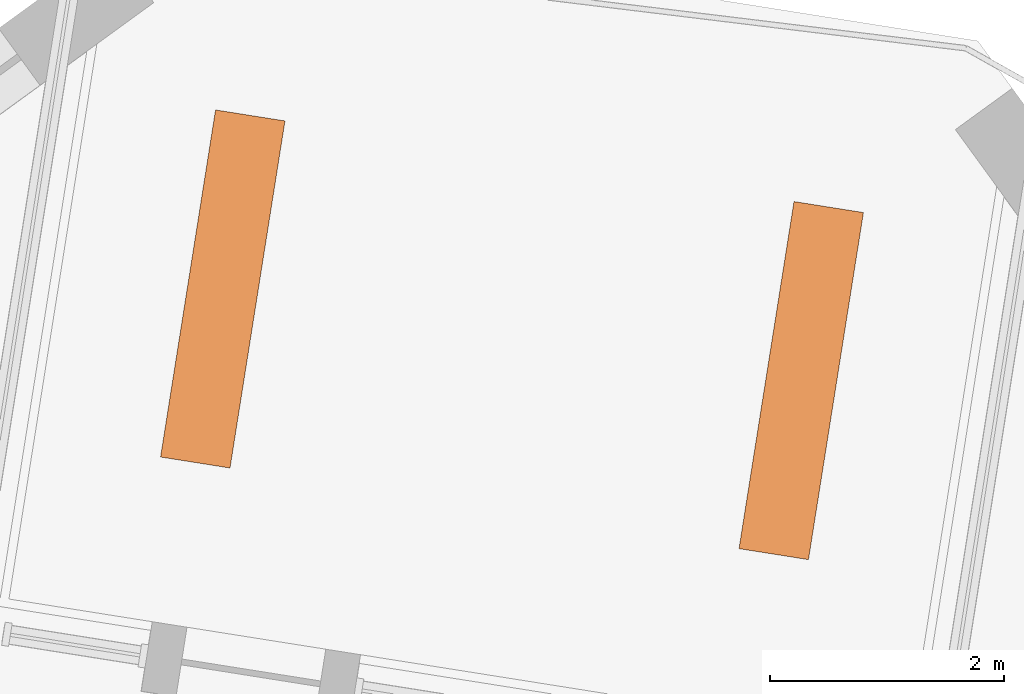
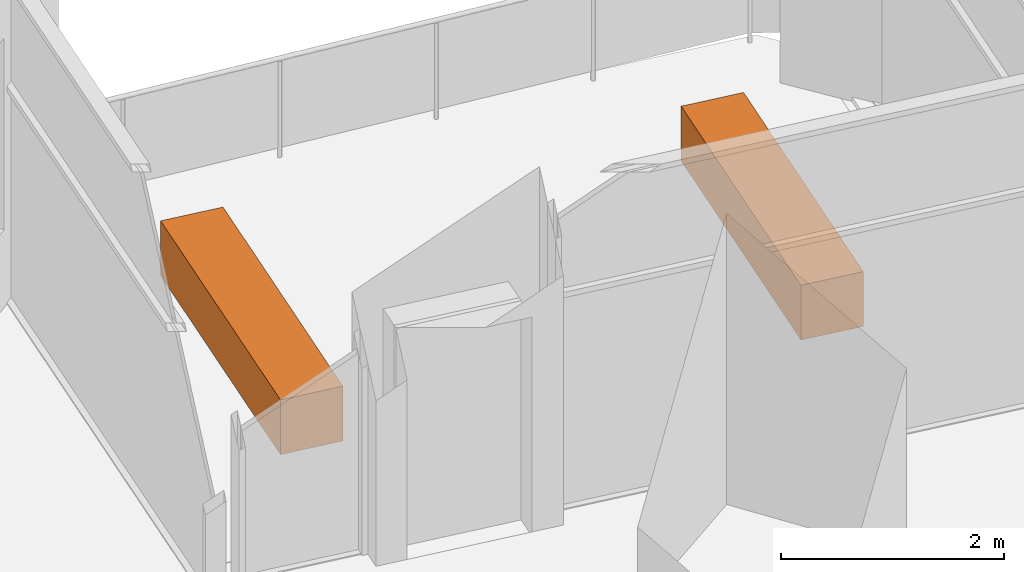
# One storey, part 11 of 11: 2 proxies.
"""IFC4 building model written with IfcOpenShell, lengths in metres."""

from ifc_helpers import new_model, si_unit, direction, frame, origin, origin_2d, place, context, subcontext, project, spatial, rectangle, extrude, element, save


model = new_model("IFC4")

# Units and contexts
model_context = context("Model", 3, precision=1e-05, world=origin(), true_north=direction((0.0, 1.0)))
body_context = subcontext(model_context, "Body", "Model", "MODEL_VIEW")
ifc_project = project(units=[si_unit("LENGTHUNIT", "METRE"), si_unit("AREAUNIT", "SQUARE_METRE"), si_unit("VOLUMEUNIT", "CUBIC_METRE"), si_unit("PLANEANGLEUNIT", "RADIAN"), si_unit("MASSUNIT", "GRAM", prefix="KILO")], contexts=[model_context])

# Site, building, storey
site_placement = place(None, origin())
site = spatial("IfcSite", under=ifc_project, at=site_placement, CompositionType="ELEMENT")
building_placement = place(site_placement, origin())
building = spatial("IfcBuilding", under=site, at=building_placement, Name="Dilmun Exchange Tower", CompositionType="ELEMENT")
storey_placement = place(building_placement, frame((0.0, 0.0, 167.699951171875)))
storey = spatial("IfcBuildingStorey", under=building, at=storey_placement, Name="L39", CompositionType="ELEMENT", Elevation=167.699951171875)

# Proxies
for number, where, z_axis, x_axis, name in (
    (1, (10.18408203125, 32.046630859375, 0.0), (0.0, 0.0, 1.0), (0.15643446504, 0.987688340595, 0.0), "PLANTER Ghaf tree L39.1"),
    (2, (5.24560546875, 32.828857421875, 0.0), (0.0, 0.0, 1.0), (0.15643446504, 0.987688340595, 0.0), "PLANTER Ghaf tree L39.2"),
):
    element("IfcBuildingElementProxy", number, at=place(storey_placement, frame(where, z_axis=z_axis, x_axis=x_axis)), inside=storey, Name=name, ObjectType="PLANTER", PredefinedType="USERDEFINED", context=body_context, shape_type="SweptSolid", body=[
        extrude(rectangle(XDim=3.0, YDim=0.60009765625, at=origin_2d()), origin(), (0.0, 0.0, 1.0), 0.60009765625),
    ])

save(model, "model.ifc")
